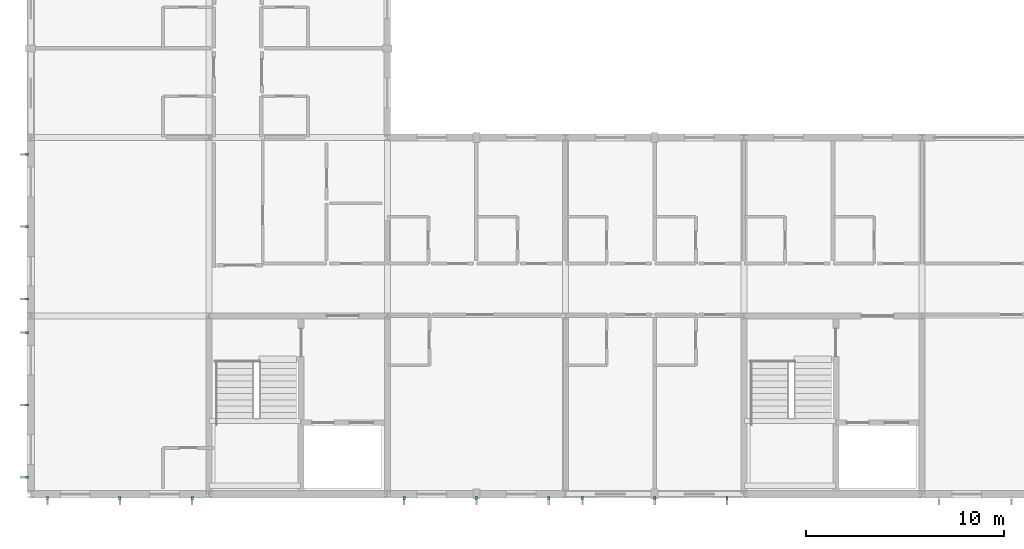
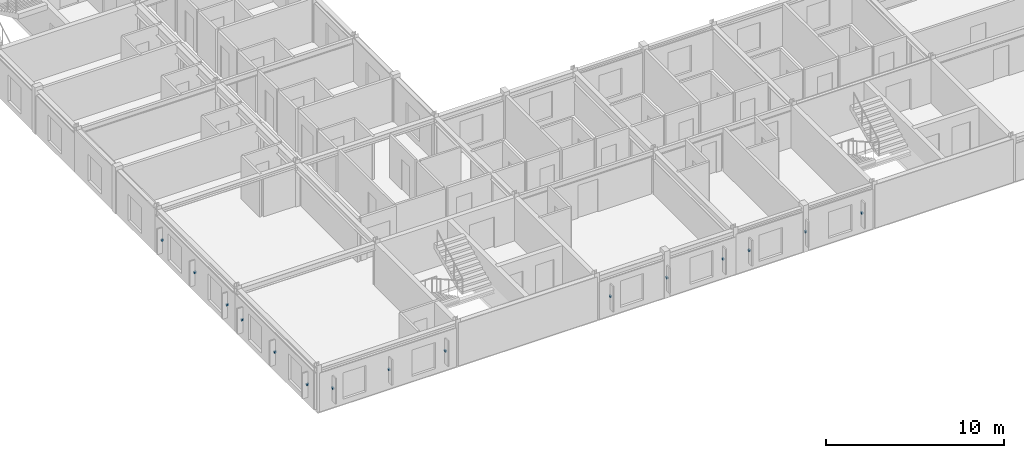
# One storey, part 15 of 18: 15 discrete accessories.
"""IFC4 building model written with IfcOpenShell, lengths in metres."""

from ifc_helpers import new_model, si_unit, direction, frame, origin, origin_2d, place, context, subcontext, project, spatial, rectangle, extrude, material, type_object, element, save


model = new_model("IFC4")

# Units and contexts
model_context = context("Model", 3, precision=1e-05, world=origin(), true_north=direction((0.0, 1.0)))
body_context = subcontext(model_context, "Body", "Model", "MODEL_VIEW")
ifc_project = project(units=[si_unit("LENGTHUNIT", "METRE"), si_unit("AREAUNIT", "SQUARE_METRE"), si_unit("VOLUMEUNIT", "CUBIC_METRE"), si_unit("PLANEANGLEUNIT", "RADIAN"), si_unit("MASSUNIT", "GRAM", prefix="KILO")], contexts=[model_context])

# Site, building, storey
site_placement = place(None, origin())
site = spatial("IfcSite", under=ifc_project, at=site_placement, CompositionType="ELEMENT")
building_placement = place(site_placement, origin())
building = spatial("IfcBuilding", under=site, at=building_placement, Name="Palais des Congres Ocreval", CompositionType="ELEMENT")
storey_placement = place(building_placement, frame((0.0, 0.0, 23.679931640625)))
storey = spatial("IfcBuildingStorey", under=building, at=storey_placement, Name="L07", CompositionType="ELEMENT", Elevation=23.679931640625)

# Discrete accessories
ifc_material = material(Name="Steel S355", Category="steel")
discrete_accessory_type = type_object("IfcDiscreteAccessoryType", Name="Stainless Brise-Soleil Fixing Bracket", PredefinedType="BRACKET", material=ifc_material)
for number, where, z_axis, x_axis, name in (
    (1, (35.14990234375, -0.18994140625, 1.2900390625), (0.0, 0.0, 1.0), (0.0, -1.0, 0.0), "Celosia Fixing Bracket BK01"),
    (2, (31.5, -0.18994140625, 1.2900390625), (0.0, 0.0, 1.0), (0.0, -1.0, 0.0), "Celosia Fixing Bracket BK01"),
    (3, (27.85009765625, -0.18994140625, 1.2900390625), (0.0, 0.0, 1.0), (0.0, -1.0, 0.0), "Celosia Fixing Bracket BK01"),
    (4, (26.14990234375, -0.18994140625, 1.2900390625), (0.0, 0.0, 1.0), (0.0, -1.0, 0.0), "Celosia Fixing Bracket BK01"),
    (5, (22.5, -0.18994140625, 1.2900390625), (0.0, 0.0, 1.0), (0.0, -1.0, 0.0), "Celosia Fixing Bracket BK01"),
    (6, (18.85009765625, -0.18994140625, 1.2900390625), (0.0, 0.0, 1.0), (0.0, -1.0, 0.0), "Celosia Fixing Bracket BK01"),
    (7, (8.14990234375, -0.18994140625, 1.2900390625), (0.0, 0.0, 1.0), (0.0, -1.0, 0.0), "Celosia Fixing Bracket BK01"),
    (8, (4.5, -0.18994140625, 1.2900390625), (0.0, 0.0, 1.0), (0.0, -1.0, 0.0), "Celosia Fixing Bracket BK01"),
    (9, (0.85009765625, -0.18994140625, 1.2900390625), (0.0, 0.0, 1.0), (0.0, -1.0, 0.0), "Celosia Fixing Bracket BK01"),
    (10, (-0.18994140625, 0.85009765625, 1.2900390625), (0.0, 0.0, 1.0), (-1.0, 0.0, 0.0), "Celosia Fixing Bracket BK01"),
    (11, (-0.18994140625, 4.5, 1.2900390625), (0.0, 0.0, 1.0), (-1.0, 0.0, 0.0), "Celosia Fixing Bracket BK01"),
    (12, (-0.18994140625, 8.14990234375, 1.2900390625), (0.0, 0.0, 1.0), (-1.0, 0.0, 0.0), "Celosia Fixing Bracket BK01"),
    (13, (-0.18994140625, 9.85009765625, 1.2900390625), (0.0, 0.0, 1.0), (-1.0, 0.0, 0.0), "Celosia Fixing Bracket BK01"),
    (14, (-0.18994140625, 13.5, 1.2900390625), (0.0, 0.0, 1.0), (-1.0, 0.0, 0.0), "Celosia Fixing Bracket BK01"),
    (15, (-0.18994140625, 17.14990234375, 1.2900390625), (0.0, 0.0, 1.0), (-1.0, 0.0, 0.0), "Celosia Fixing Bracket BK01"),
):
    element("IfcDiscreteAccessory", number, at=place(storey_placement, frame(where, z_axis=z_axis, x_axis=x_axis)), inside=storey, type_object=discrete_accessory_type, Name=name, PredefinedType="BRACKET", context=body_context, shape_type="SweptSolid", body=[
        extrude(rectangle(XDim=0.159912109375, YDim=0.1201171875, at=origin_2d()), origin(), (0.0, 0.0, 1.0), 0.1201171875),
    ])

save(model, "model.ifc")
